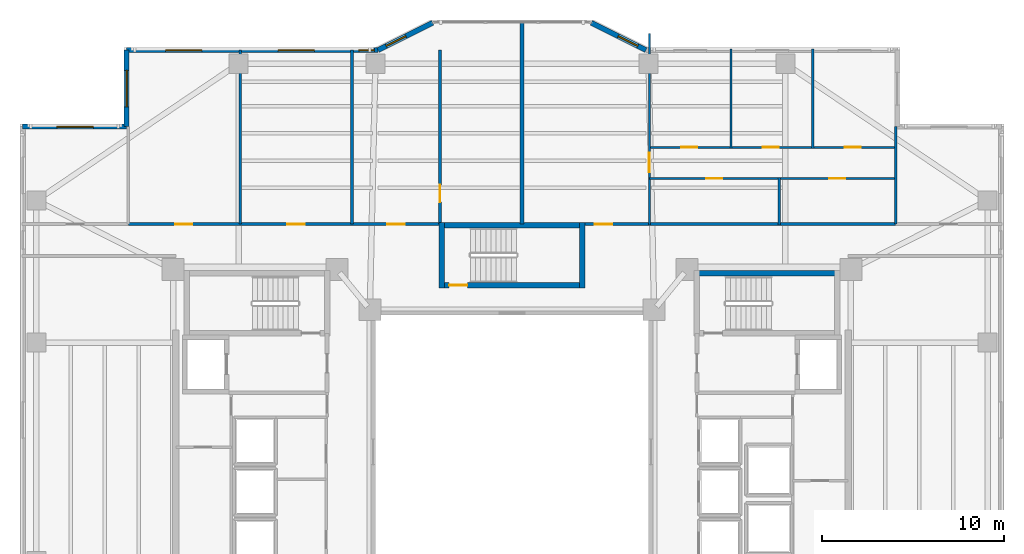
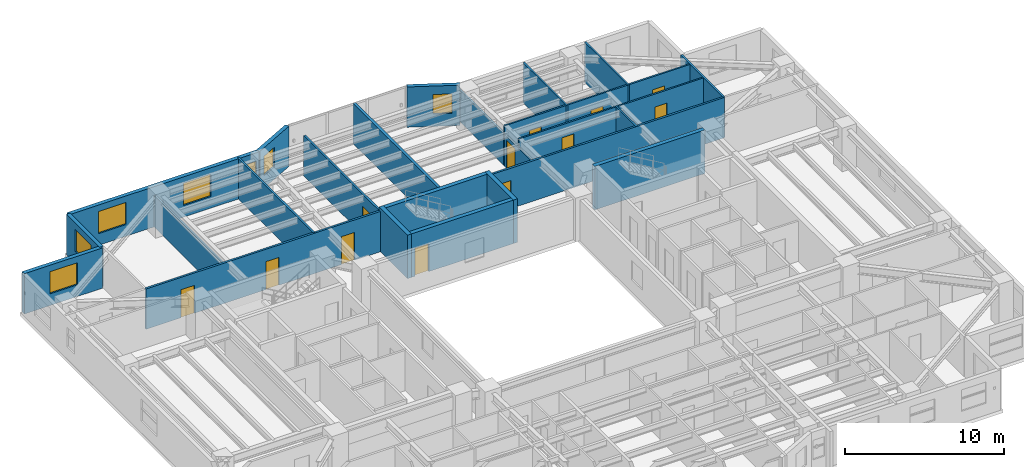
# One storey, part 10 of 18: 24 walls, 12 doors, 7 windows, 19 openings.
"""IFC4 building model written with IfcOpenShell, lengths in metres."""

from ifc_helpers import new_model, si_unit, direction, frame, frame_2d, origin, place, context, subcontext, project, spatial, rectangle, extrude, material, layer, layer_set, type_object, element, fill, save


model = new_model("IFC4")

# Units and contexts
model_context = context("Model", 3, precision=1e-05, world=origin(), true_north=direction((0.0, 1.0)))
body_context = subcontext(model_context, "Body", "Model", "MODEL_VIEW")
ifc_project = project(units=[si_unit("LENGTHUNIT", "METRE"), si_unit("AREAUNIT", "SQUARE_METRE"), si_unit("VOLUMEUNIT", "CUBIC_METRE"), si_unit("PLANEANGLEUNIT", "RADIAN"), si_unit("MASSUNIT", "GRAM", prefix="KILO")], contexts=[model_context])

# Site, building, storey
site_placement = place(None, origin())
site = spatial("IfcSite", under=ifc_project, at=site_placement, CompositionType="ELEMENT")
building_placement = place(site_placement, origin())
building = spatial("IfcBuilding", under=site, at=building_placement, Name="Tarnavaz Court Tower", CompositionType="ELEMENT")
storey_placement = place(building_placement, frame((0.0, 0.0, 85.0)))
storey = spatial("IfcBuildingStorey", under=building, at=storey_placement, Name="L22", CompositionType="ELEMENT", Elevation=85.0)

# Walls
ifc_material_1 = material(Name="Concrete C60/75", Category="concrete")
ifc_layer_1 = layer(ifc_material_1, 0.300048828125)
ifc_layer_set_1 = layer_set([ifc_layer_1], Name="Concrete C60/75")
wall_type_1 = type_object("IfcWallType", Name="WL-CORE-300-C60", PredefinedType="SHEAR", material=ifc_layer_set_1)
for number, where, z_axis, x_axis, name in (
    (1, (10.0, 9.7900390625, 0.0), (0.0, 0.0, 1.0), (1.0, 0.0, 0.0), "L22 East Stair Core Wall 005"),
    (2, (-4.0, 12.43994140625, 0.0), (0.0, 0.0, 1.0), (1.0, 0.0, 0.0), "L22 North Stair Core Wall 009"),
):
    element("IfcWall", number, at=place(storey_placement, frame(where, z_axis=z_axis, x_axis=x_axis)), inside=storey, type_object=wall_type_1, Name=name, PredefinedType="SHEAR", context=body_context, shape_type="SweptSolid", body=[
        extrude(rectangle(XDim=8.0, YDim=0.300048828125, at=frame_2d((4.0, 0.0))), origin(), (0.0, 0.0, 1.0), 3.35009765625),
    ])

# Wall, opening, door
wall_1_placement = place(storey_placement, frame((-4.0, 9.14990234375, 0.0), z_axis=(0.0, 0.0, 1.0), x_axis=(1.0, 0.0, 0.0)))
wall_1 = element("IfcWall", 3, at=wall_1_placement, inside=storey, type_object=wall_type_1, Name="L22 North Stair Core Wall 010", PredefinedType="SHEAR", context=body_context, shape_type="SweptSolid", body=[
    extrude(rectangle(XDim=8.0, YDim=0.300048828125, at=frame_2d((4.0, 0.0))), origin(), (0.0, 0.0, 1.0), 3.35009765625),
])
opening_1_placement = place(wall_1_placement, frame((0.550048828125, 0.0, 0.0)))
opening_1 = element("IfcOpeningElement", 4, at=opening_1_placement, cuts=wall_1, Name="Opening D01", PredefinedType="OPENING", context=body_context, shape_type="SweptSolid", body=[
    extrude(rectangle(XDim=1.0, YDim=2.14990234375, at=frame_2d((0.5, 1.074951171875))), frame((0.0, 0.159912109375, 0.0), z_axis=(0.0, -1.0, 0.0), x_axis=(1.0, 0.0, 0.0)), (0.0, 0.0, 1.0), 0.320068359375),
])
ifc_material_2 = material(Name="Fire-Rated Hardwood Timber Core", Category="wood")
door_type_1 = type_object("IfcDoorType", Name="DR-FD90-1000", OperationType="NOTDEFINED", PredefinedType="DOOR", material=ifc_material_2)
door_1_placement = place(opening_1_placement, origin())
door_1 = element("IfcDoor", 5, at=door_1_placement, inside=storey, type_object=door_type_1, Name="L22 Stair ST-N1 Exit Door", OperationType="SINGLE_SWING_LEFT", OverallHeight=2.14990234375, OverallWidth=1.0, PredefinedType="DOOR", context=body_context, shape_type="SweptSolid", body=[
    extrude(rectangle(XDim=1.0, YDim=2.14990234375, at=frame_2d((0.5, 1.074951171875))), frame((0.0, 0.02490234375, 0.0), z_axis=(0.0, -1.0, 0.0), x_axis=(1.0, 0.0, 0.0)), (0.0, 0.0, 1.0), 0.050048828125),
])
fill(opening_1, door_1)

# Walls
for number, where, z_axis, x_axis, name in (
    (6, (-3.85009765625, 9.0, 0.0), (0.0, 0.0, 1.0), (0.0, 1.0, 0.0), "L22 North Stair Core Wall 011"),
    (7, (3.85009765625, 9.0, 0.0), (0.0, 0.0, 1.0), (0.0, 1.0, 0.0), "L22 North Stair Core Wall 012"),
):
    element("IfcWall", number, at=place(storey_placement, frame(where, z_axis=z_axis, x_axis=x_axis)), inside=storey, type_object=wall_type_1, Name=name, PredefinedType="SHEAR", context=body_context, shape_type="SweptSolid", body=[
        extrude(rectangle(XDim=3.590087890625, YDim=0.300048828125, at=frame_2d((1.794921875, 0.0))), origin(), (0.0, 0.0, 1.0), 3.35009765625),
    ])

# Wall, opening, window
ifc_material_3 = material(Name="Precast Concrete C40/50", Category="concrete")
ifc_layer_2 = layer(ifc_material_3, 0.280029296875)
ifc_layer_set_2 = layer_set([ifc_layer_2], Name="Precast Concrete C40/50")
wall_type_2 = type_object("IfcWallType", Name="WL-EXT-280", PredefinedType="SOLIDWALL", material=ifc_layer_set_2)
wall_2_placement = place(storey_placement, frame((-26.85009765625, 17.85009765625, 0.0), z_axis=(0.0, 0.0, 1.0), x_axis=(1.0, 0.0, 0.0)))
wall_2 = element("IfcWall", 8, at=wall_2_placement, inside=storey, type_object=wall_type_2, Name="L22 Exterior Terracotta Facade Wall 03", PredefinedType="SOLIDWALL", context=body_context, shape_type="SweptSolid", body=[
    extrude(rectangle(XDim=5.7001953125, YDim=0.280029296875, at=frame_2d((2.85009765625, 0.0))), origin(), (0.0, 0.0, 1.0), 3.10009765625),
])
opening_2_placement = place(wall_2_placement, frame((1.875, 0.0, 0.89990234375)))
opening_2 = element("IfcOpeningElement", 9, at=opening_2_placement, cuts=wall_2, Name="Opening W08", PredefinedType="OPENING", context=body_context, shape_type="SweptSolid", body=[
    extrude(rectangle(XDim=2.0, YDim=1.699951171875, at=frame_2d((1.0, 0.85009765625))), frame((0.0, 0.14990234375, 0.0), z_axis=(0.0, -1.0, 0.0), x_axis=(1.0, 0.0, 0.0)), (0.0, 0.0, 1.0), 0.300048828125),
])
ifc_material_4 = material(Name="Double-Glazed Solar Low-E Glass", Category="glass")
window_type_1 = type_object("IfcWindowType", Name="WN-APT-2000", PartitioningType="DOUBLE_PANEL_VERTICAL", PredefinedType="WINDOW", material=ifc_material_4)
window_1_placement = place(opening_2_placement, origin())
window_1 = element("IfcWindow", 10, at=window_1_placement, inside=storey, type_object=window_type_1, Name="L22 North-West Corner Sunroom Study Window", OverallHeight=1.699951171875, OverallWidth=2.0, PartitioningType="SINGLE_PANEL", PredefinedType="WINDOW", context=body_context, shape_type="SweptSolid", body=[
    extrude(rectangle(XDim=2.0, YDim=1.699951171875, at=frame_2d((1.0, 0.85009765625))), frame((0.0, 0.030029296875, 0.0), z_axis=(0.0, -1.0, 0.0), x_axis=(1.0, 0.0, 0.0)), (0.0, 0.0, 1.0), 0.06005859375),
])
fill(opening_2, window_1)

wall_3_placement = place(storey_placement, frame((-21.14990234375, 17.85009765625, 0.0), z_axis=(0.0, 0.0, 1.0), x_axis=(0.0, 1.0, 0.0)))
wall_3 = element("IfcWall", 11, at=wall_3_placement, inside=storey, type_object=wall_type_2, Name="L22 Exterior Terracotta Facade Wall 04", PredefinedType="SOLIDWALL", context=body_context, shape_type="SweptSolid", body=[
    extrude(rectangle(XDim=4.199951171875, YDim=0.280029296875, at=frame_2d((2.10009765625, 0.0))), origin(), (0.0, 0.0, 1.0), 3.10009765625),
])
opening_3_placement = place(wall_3_placement, frame((1.082275390625, 0.0, 0.89990234375)))
opening_3 = element("IfcOpeningElement", 12, at=opening_3_placement, cuts=wall_3, Name="Opening W08", PredefinedType="OPENING", context=body_context, shape_type="SweptSolid", body=[
    extrude(rectangle(XDim=2.0, YDim=1.699951171875, at=frame_2d((1.0, 0.85009765625))), frame((0.0, 0.14990234375, 0.0), z_axis=(0.0, -1.0, 0.0), x_axis=(1.0, 0.0, 0.0)), (0.0, 0.0, 1.0), 0.300048828125),
])
window_2_placement = place(opening_3_placement, origin())
window_2 = element("IfcWindow", 13, at=window_2_placement, inside=storey, type_object=window_type_1, Name="L22 Resident Fitness and Yoga Studio Window", OverallHeight=1.699951171875, OverallWidth=2.0, PartitioningType="SINGLE_PANEL", PredefinedType="WINDOW", context=body_context, shape_type="SweptSolid", body=[
    extrude(rectangle(XDim=2.0, YDim=1.699951171875, at=frame_2d((1.0, 0.85009765625))), frame((0.0, 0.030029296875, 0.0), z_axis=(0.0, -1.0, 0.0), x_axis=(1.0, 0.0, 0.0)), (0.0, 0.0, 1.0), 0.06005859375),
])
fill(opening_3, window_2)

# Wall, openings, windows
wall_4_placement = place(storey_placement, frame((-21.14990234375, 22.050048828125, 0.0), z_axis=(0.0, 0.0, 1.0), x_axis=(1.0, 0.0, 0.0)))
wall_4 = element("IfcWall", 14, at=wall_4_placement, inside=storey, type_object=wall_type_2, Name="L22 Exterior Terracotta Facade Wall 05", PredefinedType="SOLIDWALL", context=body_context, shape_type="SweptSolid", body=[
    extrude(rectangle(XDim=13.7998046875, YDim=0.280029296875, at=frame_2d((6.89990234375, 0.0))), origin(), (0.0, 0.0, 1.0), 3.10009765625),
])
opening_4_placement = place(wall_4_placement, frame((2.136474609375, 0.0, 0.89990234375)))
opening_4 = element("IfcOpeningElement", 15, at=opening_4_placement, cuts=wall_4, Name="Opening W08", PredefinedType="OPENING", context=body_context, shape_type="SweptSolid", body=[
    extrude(rectangle(XDim=2.0, YDim=1.699951171875, at=frame_2d((1.0, 0.85009765625))), frame((0.0, 0.14990234375, 0.0), z_axis=(0.0, -1.0, 0.0), x_axis=(1.0, 0.0, 0.0)), (0.0, 0.0, 1.0), 0.300048828125),
])
opening_5_placement = place(wall_4_placement, frame((8.30859375, 0.0, 0.89990234375)))
opening_5 = element("IfcOpeningElement", 16, at=opening_5_placement, cuts=wall_4, Name="Opening W08", PredefinedType="OPENING", context=body_context, shape_type="SweptSolid", body=[
    extrude(rectangle(XDim=2.0, YDim=1.699951171875, at=frame_2d((1.0, 0.85009765625))), frame((0.0, 0.14990234375, 0.0), z_axis=(0.0, -1.0, 0.0), x_axis=(1.0, 0.0, 0.0)), (0.0, 0.0, 1.0), 0.300048828125),
])
opening_6_placement = place(wall_4_placement, frame((12.7470703125, 0.0, 0.949951171875)))
opening_6 = element("IfcOpeningElement", 17, at=opening_6_placement, cuts=wall_4, Name="Opening W15", PredefinedType="OPENING", context=body_context, shape_type="SweptSolid", body=[
    extrude(rectangle(XDim=0.85009765625, YDim=1.5, at=frame_2d((0.425048828125, 0.75))), frame((0.0, 0.14990234375, 0.0), z_axis=(0.0, -1.0, 0.0), x_axis=(1.0, 0.0, 0.0)), (0.0, 0.0, 1.0), 0.300048828125),
])
window_3_placement = place(opening_4_placement, origin())
window_3 = element("IfcWindow", 18, at=window_3_placement, inside=storey, type_object=window_type_1, Name="L22 Resident Fitness and Yoga Studio Window", OverallHeight=1.699951171875, OverallWidth=2.0, PartitioningType="SINGLE_PANEL", PredefinedType="WINDOW", context=body_context, shape_type="SweptSolid", body=[
    extrude(rectangle(XDim=2.0, YDim=1.699951171875, at=frame_2d((1.0, 0.85009765625))), frame((0.0, 0.030029296875, 0.0), z_axis=(0.0, -1.0, 0.0), x_axis=(1.0, 0.0, 0.0)), (0.0, 0.0, 1.0), 0.06005859375),
])
fill(opening_4, window_3)
window_4_placement = place(opening_5_placement, origin())
window_4 = element("IfcWindow", 19, at=window_4_placement, inside=storey, type_object=window_type_1, Name="L22 Children Playroom and Daycare Window", OverallHeight=1.699951171875, OverallWidth=2.0, PartitioningType="SINGLE_PANEL", PredefinedType="WINDOW", context=body_context, shape_type="SweptSolid", body=[
    extrude(rectangle(XDim=2.0, YDim=1.699951171875, at=frame_2d((1.0, 0.85009765625))), frame((0.0, 0.030029296875, 0.0), z_axis=(0.0, -1.0, 0.0), x_axis=(1.0, 0.0, 0.0)), (0.0, 0.0, 1.0), 0.06005859375),
])
fill(opening_5, window_4)
window_type_2 = type_object("IfcWindowType", Name="WN-APT-850", PartitioningType="SINGLE_PANEL", PredefinedType="WINDOW", material=ifc_material_4)
window_5_placement = place(opening_6_placement, origin())
window_5 = element("IfcWindow", 20, at=window_5_placement, inside=storey, type_object=window_type_2, Name="L22 Shared Community Tea Pantry Window", OverallHeight=1.5, OverallWidth=0.85009765625, PartitioningType="SINGLE_PANEL", PredefinedType="WINDOW", context=body_context, shape_type="SweptSolid", body=[
    extrude(rectangle(XDim=0.85009765625, YDim=1.5, at=frame_2d((0.425048828125, 0.75))), frame((0.0, 0.030029296875, 0.0), z_axis=(0.0, -1.0, 0.0), x_axis=(1.0, 0.0, 0.0)), (0.0, 0.0, 1.0), 0.06005859375),
])
fill(opening_6, window_5)

# Wall, opening, window
wall_5_placement = place(storey_placement, frame((-7.35009765625, 22.050048828125, 0.0), z_axis=(0.0, 0.0, 1.0), x_axis=(0.894427191, 0.4472135955, 0.0)))
wall_5 = element("IfcWall", 21, at=wall_5_placement, inside=storey, type_object=wall_type_2, Name="L22 Exterior Terracotta Facade Wall 06", PredefinedType="SOLIDWALL", context=body_context, shape_type="SweptSolid", body=[
    extrude(rectangle(XDim=3.35400390625, YDim=0.280029296875, at=frame_2d((1.677001953125, 0.0))), origin(), (0.0, 0.0, 1.0), 3.10009765625),
])
opening_7_placement = place(wall_5_placement, frame((0.501220703125, 0.0, 0.949951171875)))
opening_7 = element("IfcOpeningElement", 22, at=opening_7_placement, cuts=wall_5, Name="Opening W05", PredefinedType="OPENING", context=body_context, shape_type="SweptSolid", body=[
    extrude(rectangle(XDim=1.199951171875, YDim=1.5, at=frame_2d((0.60009765625, 0.75))), frame((0.0, 0.14990234375, 0.0), z_axis=(0.0, -1.0, 0.0), x_axis=(1.0, 0.0, 0.0)), (0.0, 0.0, 1.0), 0.300048828125),
])
window_type_3 = type_object("IfcWindowType", Name="WN-APT-1200", PartitioningType="SINGLE_PANEL", PredefinedType="WINDOW", material=ifc_material_4)
window_6_placement = place(opening_7_placement, origin())
window_6 = element("IfcWindow", 23, at=window_6_placement, inside=storey, type_object=window_type_3, Name="L22 Shared Community Tea Pantry Window", OverallHeight=1.5, OverallWidth=1.199951171875, PartitioningType="SINGLE_PANEL", PredefinedType="WINDOW", context=body_context, shape_type="SweptSolid", body=[
    extrude(rectangle(XDim=1.199951171875, YDim=1.5, at=frame_2d((0.60009765625, 0.75))), frame((0.0, 0.030029296875, 0.0), z_axis=(0.0, -1.0, 0.0), x_axis=(1.0, 0.0, 0.0)), (0.0, 0.0, 1.0), 0.06005859375),
])
fill(opening_7, window_6)

wall_6_placement = place(storey_placement, frame((4.35009765625, 23.550048828125, 0.0), z_axis=(0.0, 0.0, 1.0), x_axis=(0.894427191, -0.4472135955, 0.0)))
wall_6 = element("IfcWall", 24, at=wall_6_placement, inside=storey, type_object=wall_type_2, Name="L22 Exterior Terracotta Facade Wall 08", PredefinedType="SOLIDWALL", context=body_context, shape_type="SweptSolid", body=[
    extrude(rectangle(XDim=3.35400390625, YDim=0.280029296875, at=frame_2d((1.677001953125, 0.0))), origin(), (0.0, 0.0, 1.0), 3.10009765625),
])
opening_8_placement = place(wall_6_placement, frame((1.65283203125, 0.0, 0.949951171875)))
opening_8 = element("IfcOpeningElement", 25, at=opening_8_placement, cuts=wall_6, Name="Opening W05", PredefinedType="OPENING", context=body_context, shape_type="SweptSolid", body=[
    extrude(rectangle(XDim=1.199951171875, YDim=1.5, at=frame_2d((0.60009765625, 0.75))), frame((0.0, 0.14990234375, 0.0), z_axis=(0.0, -1.0, 0.0), x_axis=(1.0, 0.0, 0.0)), (0.0, 0.0, 1.0), 0.300048828125),
])
window_7_placement = place(opening_8_placement, origin())
window_7 = element("IfcWindow", 26, at=window_7_placement, inside=storey, type_object=window_type_3, Name="L22 Flat 01 Living and Dining Room Window", OverallHeight=1.5, OverallWidth=1.199951171875, PartitioningType="SINGLE_PANEL", PredefinedType="WINDOW", context=body_context, shape_type="SweptSolid", body=[
    extrude(rectangle(XDim=1.199951171875, YDim=1.5, at=frame_2d((0.60009765625, 0.75))), frame((0.0, 0.030029296875, 0.0), z_axis=(0.0, -1.0, 0.0), x_axis=(1.0, 0.0, 0.0)), (0.0, 0.0, 1.0), 0.06005859375),
])
fill(opening_8, window_7)

# Wall, openings, doors
ifc_material_5 = material(Name="Gypsum Fire-Board on Acoustic Metal Stud", Category="masonry")
ifc_layer_3 = layer(ifc_material_5, 0.14990234375)
ifc_layer_set_3 = layer_set([ifc_layer_3], Name="Gypsum Fire-Board on Acoustic Metal Stud")
wall_type_3 = type_object("IfcWallType", Name="WL-FIRE-150", PredefinedType="PARTITIONING", material=ifc_layer_set_3)
wall_7_placement = place(storey_placement, frame((-21.050048828125, 12.5, 0.0), z_axis=(0.0, 0.0, 1.0), x_axis=(1.0, 0.0, 0.0)))
wall_7 = element("IfcWall", 27, at=wall_7_placement, inside=storey, type_object=wall_type_3, Name="L22 NW Wing Corridor Wall 071", PredefinedType="PARTITIONING", context=body_context, shape_type="SweptSolid", body=[
    extrude(rectangle(XDim=17.199951171875, YDim=0.14990234375, at=frame_2d((8.60009765625, 0.0))), origin(), (0.0, 0.0, 1.0), 3.10009765625),
])
opening_9_placement = place(wall_7_placement, frame((2.56201171875, 0.0, 0.0)))
opening_9 = element("IfcOpeningElement", 28, at=opening_9_placement, cuts=wall_7, Name="Opening D13", PredefinedType="OPENING", context=body_context, shape_type="SweptSolid", body=[
    extrude(rectangle(XDim=0.949951171875, YDim=2.14990234375, at=frame_2d((0.47509765625, 1.074951171875))), frame((0.0, 0.0849609375, 0.0), z_axis=(0.0, -1.0, 0.0), x_axis=(1.0, 0.0, 0.0)), (0.0, 0.0, 1.0), 0.169921875),
])
opening_10_placement = place(wall_7_placement, frame((8.72607421875, 0.0, 0.0)))
opening_10 = element("IfcOpeningElement", 29, at=opening_10_placement, cuts=wall_7, Name="Opening D13", PredefinedType="OPENING", context=body_context, shape_type="SweptSolid", body=[
    extrude(rectangle(XDim=0.949951171875, YDim=2.14990234375, at=frame_2d((0.47509765625, 1.074951171875))), frame((0.0, 0.0849609375, 0.0), z_axis=(0.0, -1.0, 0.0), x_axis=(1.0, 0.0, 0.0)), (0.0, 0.0, 1.0), 0.169921875),
])
opening_11_placement = place(wall_7_placement, frame((14.2099609375, 0.0, 0.0)))
opening_11 = element("IfcOpeningElement", 30, at=opening_11_placement, cuts=wall_7, Name="Opening D13", PredefinedType="OPENING", context=body_context, shape_type="SweptSolid", body=[
    extrude(rectangle(XDim=0.949951171875, YDim=2.14990234375, at=frame_2d((0.47509765625, 1.074951171875))), frame((0.0, 0.0849609375, 0.0), z_axis=(0.0, -1.0, 0.0), x_axis=(1.0, 0.0, 0.0)), (0.0, 0.0, 1.0), 0.169921875),
])
ifc_material_6 = material(Name="Engineered Oak Timber", Category="wood")
door_type_2 = type_object("IfcDoorType", Name="DR-INT-950", OperationType="NOTDEFINED", PredefinedType="DOOR", material=ifc_material_6)
door_2_placement = place(opening_9_placement, origin())
door_2 = element("IfcDoor", 31, at=door_2_placement, inside=storey, type_object=door_type_2, Name="L22 Resident Fitness and Yoga Studio Door", OperationType="SINGLE_SWING_LEFT", OverallHeight=2.14990234375, OverallWidth=0.949951171875, PredefinedType="DOOR", context=body_context, shape_type="SweptSolid", body=[
    extrude(rectangle(XDim=0.949951171875, YDim=2.14990234375, at=frame_2d((0.47509765625, 1.074951171875))), frame((0.0, 0.02490234375, 0.0), z_axis=(0.0, -1.0, 0.0), x_axis=(1.0, 0.0, 0.0)), (0.0, 0.0, 1.0), 0.050048828125),
])
fill(opening_9, door_2)
door_3_placement = place(opening_10_placement, origin())
door_3 = element("IfcDoor", 32, at=door_3_placement, inside=storey, type_object=door_type_2, Name="L22 Children Playroom and Daycare Door", OperationType="SINGLE_SWING_RIGHT", OverallHeight=2.14990234375, OverallWidth=0.949951171875, PredefinedType="DOOR", context=body_context, shape_type="SweptSolid", body=[
    extrude(rectangle(XDim=0.949951171875, YDim=2.14990234375, at=frame_2d((0.47509765625, 1.074951171875))), frame((0.0, 0.02490234375, 0.0), z_axis=(0.0, -1.0, 0.0), x_axis=(1.0, 0.0, 0.0)), (0.0, 0.0, 1.0), 0.050048828125),
])
fill(opening_10, door_3)
door_4_placement = place(opening_11_placement, origin())
door_4 = element("IfcDoor", 33, at=door_4_placement, inside=storey, type_object=door_type_2, Name="L22 Shared Community Tea Pantry Door", OperationType="SINGLE_SWING_LEFT", OverallHeight=2.14990234375, OverallWidth=0.949951171875, PredefinedType="DOOR", context=body_context, shape_type="SweptSolid", body=[
    extrude(rectangle(XDim=0.949951171875, YDim=2.14990234375, at=frame_2d((0.47509765625, 1.074951171875))), frame((0.0, 0.02490234375, 0.0), z_axis=(0.0, -1.0, 0.0), x_axis=(1.0, 0.0, 0.0)), (0.0, 0.0, 1.0), 0.050048828125),
])
fill(opening_11, door_4)

# Wall, opening, door
wall_8_placement = place(storey_placement, frame((3.85009765625, 12.5, 0.0), z_axis=(0.0, 0.0, 1.0), x_axis=(1.0, 0.0, 0.0)))
wall_8 = element("IfcWall", 34, at=wall_8_placement, inside=storey, type_object=wall_type_3, Name="L22 NE Wing Corridor Wall 072", PredefinedType="PARTITIONING", context=body_context, shape_type="SweptSolid", body=[
    extrude(rectangle(XDim=17.199951171875, YDim=0.14990234375, at=frame_2d((8.60009765625, 0.0))), origin(), (0.0, 0.0, 1.0), 3.10009765625),
])
opening_12_placement = place(wall_8_placement, frame((0.699951171875, 0.0, 0.0)))
opening_12 = element("IfcOpeningElement", 35, at=opening_12_placement, cuts=wall_8, Name="Opening D06", PredefinedType="OPENING", context=body_context, shape_type="SweptSolid", body=[
    extrude(rectangle(XDim=0.9599609375, YDim=2.14990234375, at=frame_2d((0.47998046875, 1.074951171875))), frame((0.0, 0.0849609375, 0.0), z_axis=(0.0, -1.0, 0.0), x_axis=(1.0, 0.0, 0.0)), (0.0, 0.0, 1.0), 0.169921875),
])
door_type_3 = type_object("IfcDoorType", Name="DR-FD60-950", OperationType="NOTDEFINED", PredefinedType="DOOR", material=ifc_material_2)
door_5_placement = place(opening_12_placement, origin())
door_5 = element("IfcDoor", 36, at=door_5_placement, inside=storey, type_object=door_type_3, Name="L22 Flat 01 Entrance Door", OperationType="SINGLE_SWING_LEFT", OverallHeight=2.14990234375, OverallWidth=0.9599609375, PredefinedType="DOOR", context=body_context, shape_type="SweptSolid", body=[
    extrude(rectangle(XDim=0.9599609375, YDim=2.14990234375, at=frame_2d((0.47998046875, 1.074951171875))), frame((0.0, 0.02490234375, 0.0), z_axis=(0.0, -1.0, 0.0), x_axis=(1.0, 0.0, 0.0)), (0.0, 0.0, 1.0), 0.050048828125),
])
fill(opening_12, door_5)

# Wall
ifc_material_7 = material(Name="Autoclaved Aerated Concrete Blockwork", Category="masonry")
ifc_layer_4 = layer(ifc_material_7, 0.199951171875)
ifc_layer_set_4 = layer_set([ifc_layer_4], Name="Autoclaved Aerated Concrete Blockwork")
wall_type_4 = type_object("IfcWallType", Name="WL-FIRE-200", PredefinedType="SOLIDWALL", material=ifc_layer_set_4)
wall_9_placement = place(storey_placement, frame((0.550048828125, 12.5, 0.0), z_axis=(0.0, 0.0, 1.0), x_axis=(0.0, 1.0, 0.0)))
element("IfcWall", 37, at=wall_9_placement, inside=storey, type_object=wall_type_4, Name="L22 North Center Party Wall 075", PredefinedType="SOLIDWALL", context=body_context, shape_type="SweptSolid", body=[
    extrude(rectangle(XDim=11.080078125, YDim=0.199951171875, at=frame_2d((5.5400390625, 0.0))), origin(), (0.0, 0.0, 1.0), 3.10009765625),
])

# Wall, opening, door
ifc_material_8 = material(Name="Moisture-Resistant Gypsum Board Partition", Category="masonry")
ifc_layer_5 = layer(ifc_material_8, 0.1201171875)
ifc_layer_set_5 = layer_set([ifc_layer_5], Name="Moisture-Resistant Gypsum Board Partition")
wall_type_5 = type_object("IfcWallType", Name="WL-PART-120", PredefinedType="PARTITIONING", material=ifc_layer_set_5)
wall_10_placement = place(storey_placement, frame((7.5390625, 12.43994140625, 0.0), z_axis=(0.0, 0.0, 1.0), x_axis=(0.0, 1.0, 0.0)))
wall_10 = element("IfcWall", 38, at=wall_10_placement, inside=storey, type_object=wall_type_5, Name="L22 Interior Partition 079", PredefinedType="PARTITIONING", context=body_context, shape_type="SweptSolid", body=[
    extrude(rectangle(XDim=10.51416015625, YDim=0.1201171875, at=frame_2d((5.257080078125, 0.0))), origin(), (0.0, 0.0, 1.0), 2.43505859375),
])
opening_13_placement = place(wall_10_placement, frame((2.905029296875, 0.0, 0.0)))
opening_13 = element("IfcOpeningElement", 39, at=opening_13_placement, cuts=wall_10, Name="Opening D12", PredefinedType="OPENING", context=body_context, shape_type="SweptSolid", body=[
    extrude(rectangle(XDim=1.080078125, YDim=2.14990234375, at=frame_2d((0.5400390625, 1.074951171875))), frame((0.0, 0.070068359375, 0.0), z_axis=(0.0, -1.0, 0.0), x_axis=(1.0, 0.0, 0.0)), (0.0, 0.0, 1.0), 0.14013671875),
])
door_type_4 = type_object("IfcDoorType", Name="DR-INT-1100", OperationType="NOTDEFINED", PredefinedType="DOOR", material=ifc_material_6)
door_6_placement = place(opening_13_placement, origin())
door_6 = element("IfcDoor", 40, at=door_6_placement, inside=storey, type_object=door_type_4, Name="L22 Flat 01 Foyer Door", OperationType="SINGLE_SWING_RIGHT", OverallHeight=2.14990234375, OverallWidth=1.080078125, PredefinedType="DOOR", context=body_context, shape_type="SweptSolid", body=[
    extrude(rectangle(XDim=1.080078125, YDim=2.14990234375, at=frame_2d((0.5400390625, 1.074951171875))), frame((0.0, 0.02490234375, 0.0), z_axis=(0.0, -1.0, 0.0), x_axis=(1.0, 0.0, 0.0)), (0.0, 0.0, 1.0), 0.050048828125),
])
fill(opening_13, door_6)

wall_11_placement = place(storey_placement, frame((7.5390625, 15.0, 0.0), z_axis=(0.0, 0.0, 1.0), x_axis=(1.0, 0.0, 0.0)))
wall_11 = element("IfcWall", 41, at=wall_11_placement, inside=storey, type_object=wall_type_5, Name="L22 Interior Partition 080", PredefinedType="PARTITIONING", context=body_context, shape_type="SweptSolid", body=[
    extrude(rectangle(XDim=7.12890625, YDim=0.1201171875, at=frame_2d((3.564453125, 0.0))), origin(), (0.0, 0.0, 1.0), 3.10009765625),
])
opening_14_placement = place(wall_11_placement, frame((3.1240234375, 0.0, 0.0)))
opening_14 = element("IfcOpeningElement", 42, at=opening_14_placement, cuts=wall_11, Name="Opening D14", PredefinedType="OPENING", context=body_context, shape_type="SweptSolid", body=[
    extrude(rectangle(XDim=0.8798828125, YDim=2.10009765625, at=frame_2d((0.43994140625, 1.050048828125))), frame((0.0, 0.070068359375, 0.0), z_axis=(0.0, -1.0, 0.0), x_axis=(1.0, 0.0, 0.0)), (0.0, 0.0, 1.0), 0.14013671875),
])
door_type_5 = type_object("IfcDoorType", Name="DR-INT-900", OperationType="NOTDEFINED", PredefinedType="DOOR", material=ifc_material_6)
door_7_placement = place(opening_14_placement, origin())
door_7 = element("IfcDoor", 43, at=door_7_placement, inside=storey, type_object=door_type_5, Name="L22 Flat 01 Kitchen Door", OperationType="SINGLE_SWING_LEFT", OverallHeight=2.10009765625, OverallWidth=0.8798828125, PredefinedType="DOOR", context=body_context, shape_type="SweptSolid", body=[
    extrude(rectangle(XDim=0.8798828125, YDim=2.10009765625, at=frame_2d((0.43994140625, 1.050048828125))), frame((0.0, 0.02490234375, 0.0), z_axis=(0.0, -1.0, 0.0), x_axis=(1.0, 0.0, 0.0)), (0.0, 0.0, 1.0), 0.050048828125),
])
fill(opening_14, door_7)

wall_12_placement = place(storey_placement, frame((14.66796875, 15.0, 0.0), z_axis=(0.0, 0.0, 1.0), x_axis=(1.0, 0.0, 0.0)))
wall_12 = element("IfcWall", 44, at=wall_12_placement, inside=storey, type_object=wall_type_5, Name="L22 Interior Partition 081", PredefinedType="PARTITIONING", context=body_context, shape_type="SweptSolid", body=[
    extrude(rectangle(XDim=6.382080078125, YDim=0.1201171875, at=frame_2d((3.19091796875, 0.0))), origin(), (0.0, 0.0, 1.0), 3.10009765625),
])
opening_15_placement = place(wall_12_placement, frame((2.7509765625, 0.0, 0.0)))
opening_15 = element("IfcOpeningElement", 45, at=opening_15_placement, cuts=wall_12, Name="Opening D14", PredefinedType="OPENING", context=body_context, shape_type="SweptSolid", body=[
    extrude(rectangle(XDim=0.8798828125, YDim=2.10009765625, at=frame_2d((0.43994140625, 1.050048828125))), frame((0.0, 0.070068359375, 0.0), z_axis=(0.0, -1.0, 0.0), x_axis=(1.0, 0.0, 0.0)), (0.0, 0.0, 1.0), 0.14013671875),
])
door_8_placement = place(opening_15_placement, origin())
door_8 = element("IfcDoor", 46, at=door_8_placement, inside=storey, type_object=door_type_5, Name="L22 Flat 01 Bathroom Door", OperationType="SINGLE_SWING_RIGHT", OverallHeight=2.10009765625, OverallWidth=0.8798828125, PredefinedType="DOOR", context=body_context, shape_type="SweptSolid", body=[
    extrude(rectangle(XDim=0.8798828125, YDim=2.10009765625, at=frame_2d((0.43994140625, 1.050048828125))), frame((0.0, 0.02490234375, 0.0), z_axis=(0.0, -1.0, 0.0), x_axis=(1.0, 0.0, 0.0)), (0.0, 0.0, 1.0), 0.050048828125),
])
fill(opening_15, door_8)

# Wall, openings, doors
wall_13_placement = place(storey_placement, frame((7.47900390625, 16.7099609375, 0.0), z_axis=(0.0, 0.0, 1.0), x_axis=(1.0, 0.0, 0.0)))
wall_13 = element("IfcWall", 47, at=wall_13_placement, inside=storey, type_object=wall_type_5, Name="L22 Interior Partition 082", PredefinedType="PARTITIONING", context=body_context, shape_type="SweptSolid", body=[
    extrude(rectangle(XDim=13.631103515625, YDim=0.1201171875, at=frame_2d((6.8154296875, 0.0))), origin(), (0.0, 0.0, 1.0), 3.10009765625),
])
opening_16_placement = place(wall_13_placement, frame((1.802001953125, 0.0, 0.0)))
opening_16 = element("IfcOpeningElement", 48, at=opening_16_placement, cuts=wall_13, Name="Opening D14", PredefinedType="OPENING", context=body_context, shape_type="SweptSolid", body=[
    extrude(rectangle(XDim=0.8798828125, YDim=2.10009765625, at=frame_2d((0.43994140625, 1.050048828125))), frame((0.0, 0.070068359375, 0.0), z_axis=(0.0, -1.0, 0.0), x_axis=(1.0, 0.0, 0.0)), (0.0, 0.0, 1.0), 0.14013671875),
])
opening_17_placement = place(wall_13_placement, frame((6.285888671875, 0.0, 0.0)))
opening_17 = element("IfcOpeningElement", 49, at=opening_17_placement, cuts=wall_13, Name="Opening D14", PredefinedType="OPENING", context=body_context, shape_type="SweptSolid", body=[
    extrude(rectangle(XDim=0.8798828125, YDim=2.10009765625, at=frame_2d((0.43994140625, 1.050048828125))), frame((0.0, 0.070068359375, 0.0), z_axis=(0.0, -1.0, 0.0), x_axis=(1.0, 0.0, 0.0)), (0.0, 0.0, 1.0), 0.14013671875),
])
opening_18_placement = place(wall_13_placement, frame((10.76904296875, 0.0, 0.0)))
opening_18 = element("IfcOpeningElement", 50, at=opening_18_placement, cuts=wall_13, Name="Opening D14", PredefinedType="OPENING", context=body_context, shape_type="SweptSolid", body=[
    extrude(rectangle(XDim=0.8798828125, YDim=2.10009765625, at=frame_2d((0.43994140625, 1.050048828125))), frame((0.0, 0.070068359375, 0.0), z_axis=(0.0, -1.0, 0.0), x_axis=(1.0, 0.0, 0.0)), (0.0, 0.0, 1.0), 0.14013671875),
])
door_9_placement = place(opening_16_placement, origin())
door_9 = element("IfcDoor", 51, at=door_9_placement, inside=storey, type_object=door_type_5, Name="L22 Flat 01 Bedroom 1 Door", OperationType="SINGLE_SWING_LEFT", OverallHeight=2.10009765625, OverallWidth=0.8798828125, PredefinedType="DOOR", context=body_context, shape_type="SweptSolid", body=[
    extrude(rectangle(XDim=0.8798828125, YDim=2.10009765625, at=frame_2d((0.43994140625, 1.050048828125))), frame((0.0, 0.02490234375, 0.0), z_axis=(0.0, -1.0, 0.0), x_axis=(1.0, 0.0, 0.0)), (0.0, 0.0, 1.0), 0.050048828125),
])
fill(opening_16, door_9)
door_10_placement = place(opening_17_placement, origin())
door_10 = element("IfcDoor", 52, at=door_10_placement, inside=storey, type_object=door_type_5, Name="L22 Flat 01 Bedroom 2 Door", OperationType="SINGLE_SWING_RIGHT", OverallHeight=2.10009765625, OverallWidth=0.8798828125, PredefinedType="DOOR", context=body_context, shape_type="SweptSolid", body=[
    extrude(rectangle(XDim=0.8798828125, YDim=2.10009765625, at=frame_2d((0.43994140625, 1.050048828125))), frame((0.0, 0.02490234375, 0.0), z_axis=(0.0, -1.0, 0.0), x_axis=(1.0, 0.0, 0.0)), (0.0, 0.0, 1.0), 0.050048828125),
])
fill(opening_17, door_10)
door_11_placement = place(opening_18_placement, origin())
door_11 = element("IfcDoor", 53, at=door_11_placement, inside=storey, type_object=door_type_5, Name="L22 Flat 01 Bedroom 3 Door", OperationType="SINGLE_SWING_LEFT", OverallHeight=2.10009765625, OverallWidth=0.8798828125, PredefinedType="DOOR", context=body_context, shape_type="SweptSolid", body=[
    extrude(rectangle(XDim=0.8798828125, YDim=2.10009765625, at=frame_2d((0.43994140625, 1.050048828125))), frame((0.0, 0.02490234375, 0.0), z_axis=(0.0, -1.0, 0.0), x_axis=(1.0, 0.0, 0.0)), (0.0, 0.0, 1.0), 0.050048828125),
])
fill(opening_18, door_11)

# Walls
wall_14_placement = place(storey_placement, frame((14.66796875, 12.43994140625, 0.0), z_axis=(0.0, 0.0, 1.0), x_axis=(0.0, 1.0, 0.0)))
element("IfcWall", 54, at=wall_14_placement, inside=storey, type_object=wall_type_5, Name="L22 Interior Partition 083", PredefinedType="PARTITIONING", context=body_context, shape_type="SweptSolid", body=[
    extrude(rectangle(XDim=2.6201171875, YDim=0.1201171875, at=frame_2d((1.31005859375, 0.0))), origin(), (0.0, 0.0, 1.0), 3.10009765625),
])
for number, where, z_axis, x_axis, name in (
    (55, (12.02294921875, 16.64990234375, 0.0), (0.0, 0.0, 1.0), (0.0, 1.0, 0.0), "L22 Interior Partition 084"),
    (56, (16.506103515625, 16.64990234375, 0.0), (0.0, 0.0, 1.0), (0.0, 1.0, 0.0), "L22 Interior Partition 085"),
):
    element("IfcWall", number, at=place(storey_placement, frame(where, z_axis=z_axis, x_axis=x_axis)), inside=storey, type_object=wall_type_5, Name=name, PredefinedType="PARTITIONING", context=body_context, shape_type="SweptSolid", body=[
        extrude(rectangle(XDim=5.4501953125, YDim=0.1201171875, at=frame_2d((2.72509765625, 0.0))), origin(), (0.0, 0.0, 1.0), 3.10009765625),
    ])

# Wall, opening, door
ifc_material_9 = material(Name="Gypsum Plasterboard Acoustic Partition", Category="masonry")
ifc_layer_6 = layer(ifc_material_9, 0.139892578125)
ifc_layer_set_6 = layer_set([ifc_layer_6], Name="Gypsum Plasterboard Acoustic Partition")
wall_type_6 = type_object("IfcWallType", Name="WL-PART-150", PredefinedType="PARTITIONING", material=ifc_layer_set_6)
wall_15_placement = place(storey_placement, frame((-3.949951171875, 12.5, 0.0), z_axis=(0.0, 0.0, 1.0), x_axis=(0.0, 1.0, 0.0)))
wall_15 = element("IfcWall", 57, at=wall_15_placement, inside=storey, type_object=wall_type_6, Name="L22 Interior Partition 076", PredefinedType="PARTITIONING", context=body_context, shape_type="SweptSolid", body=[
    extrude(rectangle(XDim=9.550048828125, YDim=0.139892578125, at=frame_2d((4.77490234375, 0.0))), origin(), (0.0, 0.0, 1.0), 3.10009765625),
])
opening_19_placement = place(wall_15_placement, frame((1.199951171875, 0.0, 0.0)))
opening_19 = element("IfcOpeningElement", 58, at=opening_19_placement, cuts=wall_15, Name="Opening D13", PredefinedType="OPENING", context=body_context, shape_type="SweptSolid", body=[
    extrude(rectangle(XDim=0.949951171875, YDim=2.14990234375, at=frame_2d((0.47509765625, 1.074951171875))), frame((0.0, 0.079833984375, 0.0), z_axis=(0.0, -1.0, 0.0), x_axis=(1.0, 0.0, 0.0)), (0.0, 0.0, 1.0), 0.159912109375),
])
door_12_placement = place(opening_19_placement, origin())
door_12 = element("IfcDoor", 59, at=door_12_placement, inside=storey, type_object=door_type_2, Name="L22 NW Iwan Study Door", OperationType="SINGLE_SWING_RIGHT", OverallHeight=2.14990234375, OverallWidth=0.949951171875, PredefinedType="DOOR", context=body_context, shape_type="SweptSolid", body=[
    extrude(rectangle(XDim=0.949951171875, YDim=2.14990234375, at=frame_2d((0.47509765625, 1.074951171875))), frame((0.0, 0.02490234375, 0.0), z_axis=(0.0, -1.0, 0.0), x_axis=(1.0, 0.0, 0.0)), (0.0, 0.0, 1.0), 0.050048828125),
])
fill(opening_19, door_12)

# Walls
wall_16_placement = place(storey_placement, frame((-14.916015625, 12.5, 0.0), z_axis=(0.0, 0.0, 1.0), x_axis=(0.0, 1.0, 0.0)))
element("IfcWall", 60, at=wall_16_placement, inside=storey, type_object=wall_type_6, Name="L22 Interior Partition 077", PredefinedType="PARTITIONING", context=body_context, shape_type="SweptSolid", body=[
    extrude(rectangle(XDim=9.550048828125, YDim=0.139892578125, at=frame_2d((4.77490234375, 0.0))), origin(), (0.0, 0.0, 1.0), 2.43505859375),
])
wall_17_placement = place(storey_placement, frame((-8.781005859375, 12.5, 0.0), z_axis=(0.0, 0.0, 1.0), x_axis=(0.0, 1.0, 0.0)))
element("IfcWall", 61, at=wall_17_placement, inside=storey, type_object=wall_type_6, Name="L22 Interior Partition 078", PredefinedType="PARTITIONING", context=body_context, shape_type="SweptSolid", body=[
    extrude(rectangle(XDim=9.550048828125, YDim=0.139892578125, at=frame_2d((4.77490234375, 0.0))), origin(), (0.0, 0.0, 1.0), 3.10009765625),
])
wall_18_placement = place(storey_placement, frame((21.050048828125, 12.5, 0.0), z_axis=(0.0, 0.0, 1.0), x_axis=(0.0, 1.0, 0.0)))
element("IfcWall", 62, at=wall_18_placement, inside=storey, type_object=wall_type_6, Name="L22 Interior Partition 118", PredefinedType="PARTITIONING", context=body_context, shape_type="SweptSolid", body=[
    extrude(rectangle(XDim=5.35009765625, YDim=0.139892578125, at=frame_2d((2.675048828125, 0.0))), origin(), (0.0, 0.0, 1.0), 3.10009765625),
])

save(model, "model.ifc")
